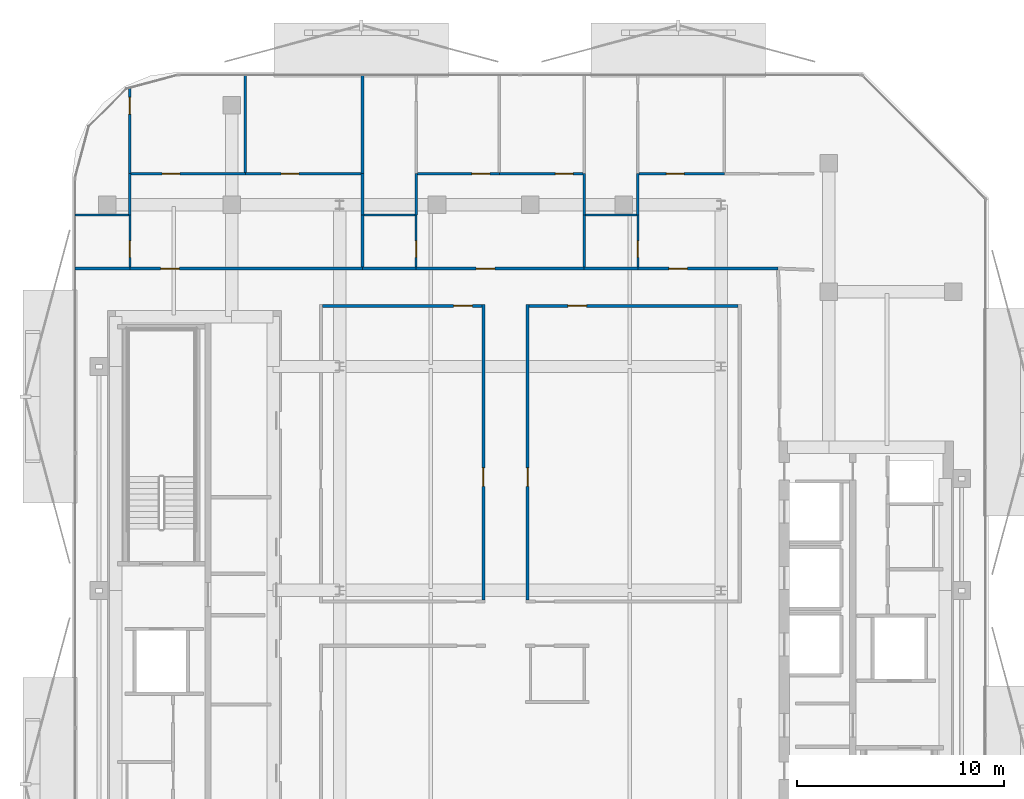
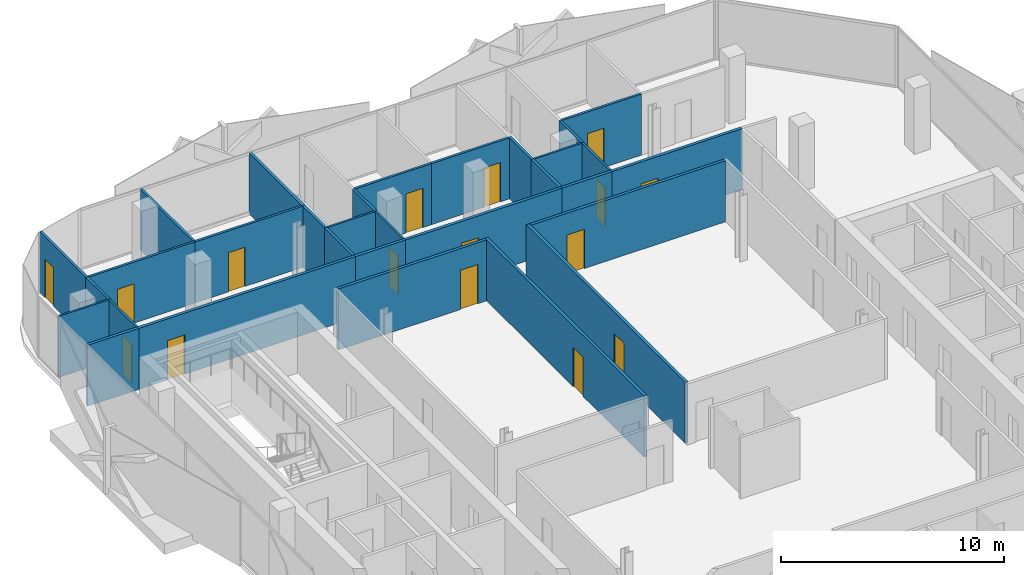
# One storey, part 6 of 16: 31 walls, 16 doors, 16 openings.
"""IFC4 building model written with IfcOpenShell, lengths in metres."""

from ifc_helpers import new_model, si_unit, direction, frame, frame_2d, origin, place, context, subcontext, project, spatial, rectangle, extrude, material, layer, layer_set, type_object, element, fill, save


model = new_model("IFC4")

# Units and contexts
model_context = context("Model", 3, precision=1e-05, world=origin(), true_north=direction((0.0, 1.0)))
body_context = subcontext(model_context, "Body", "Model", "MODEL_VIEW")
ifc_project = project(units=[si_unit("LENGTHUNIT", "METRE"), si_unit("AREAUNIT", "SQUARE_METRE"), si_unit("VOLUMEUNIT", "CUBIC_METRE"), si_unit("PLANEANGLEUNIT", "RADIAN"), si_unit("MASSUNIT", "GRAM", prefix="KILO")], contexts=[model_context])

# Site, building, storey
site_placement = place(None, origin())
site = spatial("IfcSite", under=ifc_project, at=site_placement, CompositionType="ELEMENT")
building_placement = place(site_placement, origin())
building = spatial("IfcBuilding", under=site, at=building_placement, Name="Khairoan Windgate Tower", CompositionType="ELEMENT")
storey_placement = place(building_placement, frame((0.0, 0.0, 247.60009765625)))
storey = spatial("IfcBuildingStorey", under=building, at=storey_placement, Name="L58", CompositionType="ELEMENT", Elevation=247.60009765625)

# Wall
ifc_material_1 = material(Name="Moisture-Resistant Gypsum Partition", Category="gypsum")
ifc_layer_1 = layer(ifc_material_1, 0.10009765625, Name="Moisture-Resistant Gypsum Partition")
ifc_layer_set_1 = layer_set([ifc_layer_1], Name="Moisture-Resistant Gypsum Partition")
wall_type_1 = type_object("IfcWallType", Name="Bathroom Wet-Area Partition Wall", PredefinedType="PARTITIONING", material=ifc_layer_set_1)
wall_1_placement = place(storey_placement, frame((-21.955078125, 18.10009765625, 0.0), z_axis=(0.0, 0.0, 1.0), x_axis=(1.0, 0.0, 0.0)))
element("IfcWall", 1, at=wall_1_placement, inside=storey, type_object=wall_type_1, Name="L58 Interior Partition 043", PredefinedType="PARTITIONING", context=body_context, shape_type="SweptSolid", body=[
    extrude(rectangle(XDim=2.594970703125, YDim=0.10009765625, at=frame_2d((1.29736328125, 0.0))), origin(), (0.0, 0.0, 1.0), 3.33984375),
])

# Wall, opening, door
wall_2_placement = place(storey_placement, frame((-19.31005859375, 15.60009765625, 0.0), z_axis=(0.0, 0.0, 1.0), x_axis=(0.0, 1.0, 0.0)))
wall_2 = element("IfcWall", 2, at=wall_2_placement, inside=storey, type_object=wall_type_1, Name="L58 Interior Partition 044", PredefinedType="PARTITIONING", context=body_context, shape_type="SweptSolid", body=[
    extrude(rectangle(XDim=2.5, YDim=0.10009765625, at=frame_2d((1.25, 0.0))), origin(), (0.0, 0.0, 1.0), 3.33984375),
])
opening_1_placement = place(wall_2_placement, frame((0.4599609375, 0.0, 0.0)))
opening_1 = element("IfcOpeningElement", 3, at=opening_1_placement, cuts=wall_2, Name="Opening ID-BTH", PredefinedType="OPENING", context=body_context, shape_type="SweptSolid", body=[
    extrude(rectangle(XDim=0.800048828125, YDim=2.10009765625, at=frame_2d((0.39990234375, 1.050048828125))), frame((0.0, 0.06005859375, 0.0), z_axis=(0.0, -1.0, 0.0), x_axis=(1.0, 0.0, 0.0)), (0.0, 0.0, 1.0), 0.1201171875),
])
ifc_material_2 = material(Name="Teak Veneer Timber Leaf", Category="wood")
door_type_1 = type_object("IfcDoorType", Name="Internal Bathroom Door ID-BTH 800x2100", OperationType="NOTDEFINED", PredefinedType="DOOR", material=ifc_material_2)
door_1_placement = place(opening_1_placement, origin())
door_1 = element("IfcDoor", 4, at=door_1_placement, inside=storey, type_object=door_type_1, Name="L58 L58-35-L58-37 Door", OperationType="SINGLE_SWING_RIGHT", OverallHeight=2.10009765625, OverallWidth=0.800048828125, PredefinedType="DOOR", context=body_context, shape_type="SweptSolid", body=[
    extrude(rectangle(XDim=0.800048828125, YDim=2.10009765625, at=frame_2d((0.39990234375, 1.050048828125))), frame((0.0, 0.02490234375, 0.0), z_axis=(0.0, -1.0, 0.0), x_axis=(1.0, 0.0, 0.0)), (0.0, 0.0, 1.0), 0.050048828125),
])
fill(opening_1, door_1)

# Wall
wall_3_placement = place(storey_placement, frame((-8.030029296875, 18.10009765625, 0.0), z_axis=(0.0, 0.0, 1.0), x_axis=(1.0, 0.0, 0.0)))
element("IfcWall", 5, at=wall_3_placement, inside=storey, type_object=wall_type_1, Name="L58 Interior Partition 053", PredefinedType="PARTITIONING", context=body_context, shape_type="SweptSolid", body=[
    extrude(rectangle(XDim=2.469970703125, YDim=0.10009765625, at=frame_2d((1.23486328125, 0.0))), origin(), (0.0, 0.0, 1.0), 3.33984375),
])

# Wall, opening, door
wall_4_placement = place(storey_placement, frame((-5.510009765625, 15.60009765625, 0.0), z_axis=(0.0, 0.0, 1.0), x_axis=(0.0, 1.0, 0.0)))
wall_4 = element("IfcWall", 6, at=wall_4_placement, inside=storey, type_object=wall_type_1, Name="L58 Interior Partition 054", PredefinedType="PARTITIONING", context=body_context, shape_type="SweptSolid", body=[
    extrude(rectangle(XDim=2.5, YDim=0.10009765625, at=frame_2d((1.25, 0.0))), origin(), (0.0, 0.0, 1.0), 3.33984375),
])
opening_2_placement = place(wall_4_placement, frame((0.4599609375, 0.0, 0.0)))
opening_2 = element("IfcOpeningElement", 7, at=opening_2_placement, cuts=wall_4, Name="Opening ID-BTH", PredefinedType="OPENING", context=body_context, shape_type="SweptSolid", body=[
    extrude(rectangle(XDim=0.800048828125, YDim=2.10009765625, at=frame_2d((0.39990234375, 1.050048828125))), frame((0.0, 0.06005859375, 0.0), z_axis=(0.0, -1.0, 0.0), x_axis=(1.0, 0.0, 0.0)), (0.0, 0.0, 1.0), 0.1201171875),
])
door_2_placement = place(opening_2_placement, origin())
door_2 = element("IfcDoor", 8, at=door_2_placement, inside=storey, type_object=door_type_1, Name="L58 L58-40-L58-42 Door", OperationType="SINGLE_SWING_RIGHT", OverallHeight=2.10009765625, OverallWidth=0.800048828125, PredefinedType="DOOR", context=body_context, shape_type="SweptSolid", body=[
    extrude(rectangle(XDim=0.800048828125, YDim=2.10009765625, at=frame_2d((0.39990234375, 1.050048828125))), frame((0.0, 0.02490234375, 0.0), z_axis=(0.0, -1.0, 0.0), x_axis=(1.0, 0.0, 0.0)), (0.0, 0.0, 1.0), 0.050048828125),
])
fill(opening_2, door_2)

# Wall
wall_5_placement = place(storey_placement, frame((2.669921875, 18.10009765625, 0.0), z_axis=(0.0, 0.0, 1.0), x_axis=(1.0, 0.0, 0.0)))
element("IfcWall", 9, at=wall_5_placement, inside=storey, type_object=wall_type_1, Name="L58 Interior Partition 063", PredefinedType="PARTITIONING", context=body_context, shape_type="SweptSolid", body=[
    extrude(rectangle(XDim=2.469970703125, YDim=0.10009765625, at=frame_2d((1.23486328125, 0.0))), origin(), (0.0, 0.0, 1.0), 3.33984375),
])

# Wall, opening, door
wall_6_placement = place(storey_placement, frame((5.18994140625, 15.60009765625, 0.0), z_axis=(0.0, 0.0, 1.0), x_axis=(0.0, 1.0, 0.0)))
wall_6 = element("IfcWall", 10, at=wall_6_placement, inside=storey, type_object=wall_type_1, Name="L58 Interior Partition 064", PredefinedType="PARTITIONING", context=body_context, shape_type="SweptSolid", body=[
    extrude(rectangle(XDim=2.5, YDim=0.10009765625, at=frame_2d((1.25, 0.0))), origin(), (0.0, 0.0, 1.0), 3.33984375),
])
opening_3_placement = place(wall_6_placement, frame((0.4599609375, 0.0, 0.0)))
opening_3 = element("IfcOpeningElement", 11, at=opening_3_placement, cuts=wall_6, Name="Opening ID-BTH", PredefinedType="OPENING", context=body_context, shape_type="SweptSolid", body=[
    extrude(rectangle(XDim=0.800048828125, YDim=2.10009765625, at=frame_2d((0.39990234375, 1.050048828125))), frame((0.0, 0.06005859375, 0.0), z_axis=(0.0, -1.0, 0.0), x_axis=(1.0, 0.0, 0.0)), (0.0, 0.0, 1.0), 0.1201171875),
])
door_3_placement = place(opening_3_placement, origin())
door_3 = element("IfcDoor", 12, at=door_3_placement, inside=storey, type_object=door_type_1, Name="L58 L58-45-L58-47 Door", OperationType="SINGLE_SWING_RIGHT", OverallHeight=2.10009765625, OverallWidth=0.800048828125, PredefinedType="DOOR", context=body_context, shape_type="SweptSolid", body=[
    extrude(rectangle(XDim=0.800048828125, YDim=2.10009765625, at=frame_2d((0.39990234375, 1.050048828125))), frame((0.0, 0.02490234375, 0.0), z_axis=(0.0, -1.0, 0.0), x_axis=(1.0, 0.0, 0.0)), (0.0, 0.0, 1.0), 0.050048828125),
])
fill(opening_3, door_3)

# Walls
ifc_material_3 = material(Name="Acoustic Fire-Rated Gypsum Partition", Category="gypsum")
ifc_layer_2 = layer(ifc_material_3, 0.139892578125, Name="Acoustic Fire-Rated Gypsum Partition")
ifc_layer_set_2 = layer_set([ifc_layer_2], Name="Acoustic Fire-Rated Gypsum Partition")
wall_type_2 = type_object("IfcWallType", Name="Inter-Tenancy Compartment Wall", PredefinedType="PARTITIONING", material=ifc_layer_set_2)
wall_7_placement = place(storey_placement, frame((-8.10009765625, 15.60009765625, 0.0), z_axis=(0.0, 0.0, 1.0), x_axis=(0.0, 1.0, 0.0)))
element("IfcWall", 13, at=wall_7_placement, inside=storey, type_object=wall_type_2, Name="L58 Interior Partition 049", PredefinedType="PARTITIONING", context=body_context, shape_type="SweptSolid", body=[
    extrude(rectangle(XDim=2.5, YDim=0.139892578125, at=frame_2d((1.25, 0.0))), origin(), (0.0, 0.0, 1.0), 3.33984375),
])
wall_8_placement = place(storey_placement, frame((-8.10009765625, 18.10009765625, 0.0), z_axis=(0.0, 0.0, 1.0), x_axis=(0.0, 1.0, 0.0)))
element("IfcWall", 14, at=wall_8_placement, inside=storey, type_object=wall_type_2, Name="L58 Interior Partition 050", PredefinedType="PARTITIONING", context=body_context, shape_type="SweptSolid", body=[
    extrude(rectangle(XDim=2.0, YDim=0.139892578125, at=frame_2d((1.0, 0.0))), origin(), (0.0, 0.0, 1.0), 3.33984375),
])
wall_9_placement = place(storey_placement, frame((-8.10009765625, 20.10009765625, 0.0), z_axis=(0.0, 0.0, 1.0), x_axis=(0.0, 1.0, 0.0)))
element("IfcWall", 15, at=wall_9_placement, inside=storey, type_object=wall_type_2, Name="L58 Interior Partition 052", PredefinedType="PARTITIONING", context=body_context, shape_type="SweptSolid", body=[
    extrude(rectangle(XDim=4.7548828125, YDim=0.139892578125, at=frame_2d((2.37744140625, 0.0))), origin(), (0.0, 0.0, 1.0), 3.33984375),
])
wall_10_placement = place(storey_placement, frame((2.60009765625, 15.60009765625, 0.0), z_axis=(0.0, 0.0, 1.0), x_axis=(0.0, 1.0, 0.0)))
element("IfcWall", 16, at=wall_10_placement, inside=storey, type_object=wall_type_2, Name="L58 Interior Partition 059", PredefinedType="PARTITIONING", context=body_context, shape_type="SweptSolid", body=[
    extrude(rectangle(XDim=2.5, YDim=0.139892578125, at=frame_2d((1.25, 0.0))), origin(), (0.0, 0.0, 1.0), 3.33984375),
])
wall_11_placement = place(storey_placement, frame((2.60009765625, 18.10009765625, 0.0), z_axis=(0.0, 0.0, 1.0), x_axis=(0.0, 1.0, 0.0)))
element("IfcWall", 17, at=wall_11_placement, inside=storey, type_object=wall_type_2, Name="L58 Interior Partition 060", PredefinedType="PARTITIONING", context=body_context, shape_type="SweptSolid", body=[
    extrude(rectangle(XDim=2.0, YDim=0.139892578125, at=frame_2d((1.0, 0.0))), origin(), (0.0, 0.0, 1.0), 3.33984375),
])
ifc_material_4 = material(Name="Gypsum Stud Partition", Category="gypsum")
ifc_layer_3 = layer(ifc_material_4, 0.1201171875, Name="Gypsum Stud Partition")
ifc_layer_set_3 = layer_set([ifc_layer_3], Name="Gypsum Stud Partition")
wall_type_3 = type_object("IfcWallType", Name="Internal Room Partition Wall", PredefinedType="PARTITIONING", material=ifc_layer_set_3)
wall_12_placement = place(storey_placement, frame((-19.31005859375, 18.10009765625, 0.0), z_axis=(0.0, 0.0, 1.0), x_axis=(0.0, 1.0, 0.0)))
element("IfcWall", 18, at=wall_12_placement, inside=storey, type_object=wall_type_3, Name="L58 Interior Partition 045", PredefinedType="PARTITIONING", context=body_context, shape_type="SweptSolid", body=[
    extrude(rectangle(XDim=2.0, YDim=0.1201171875, at=frame_2d((1.0, 0.0))), origin(), (0.0, 0.0, 1.0), 3.33984375),
])

# Wall, opening, door
wall_13_placement = place(storey_placement, frame((-19.31005859375, 20.10009765625, 0.0), z_axis=(0.0, 0.0, 1.0), x_axis=(0.0, 1.0, 0.0)))
wall_13 = element("IfcWall", 19, at=wall_13_placement, inside=storey, type_object=wall_type_3, Name="L58 Interior Partition 046", PredefinedType="PARTITIONING", context=body_context, shape_type="SweptSolid", body=[
    extrude(rectangle(XDim=4.134521484375, YDim=0.1201171875, at=frame_2d((2.0673828125, 0.0))), origin(), (0.0, 0.0, 1.0), 3.33984375),
])
opening_4_placement = place(wall_13_placement, frame((2.874755859375, 0.0, 0.0)))
opening_4 = element("IfcOpeningElement", 20, at=opening_4_placement, cuts=wall_13, Name="Opening ID-BTH", PredefinedType="OPENING", context=body_context, shape_type="SweptSolid", body=[
    extrude(rectangle(XDim=0.800048828125, YDim=2.10009765625, at=frame_2d((0.39990234375, 1.050048828125))), frame((0.0, 0.070068359375, 0.0), z_axis=(0.0, -1.0, 0.0), x_axis=(1.0, 0.0, 0.0)), (0.0, 0.0, 1.0), 0.14013671875),
])
door_4_placement = place(opening_4_placement, origin())
door_4 = element("IfcDoor", 21, at=door_4_placement, inside=storey, type_object=door_type_1, Name="L58 L58-36-L58-38 Door", OperationType="SINGLE_SWING_RIGHT", OverallHeight=2.10009765625, OverallWidth=0.800048828125, PredefinedType="DOOR", context=body_context, shape_type="SweptSolid", body=[
    extrude(rectangle(XDim=0.800048828125, YDim=2.10009765625, at=frame_2d((0.39990234375, 1.050048828125))), frame((0.0, 0.02490234375, 0.0), z_axis=(0.0, -1.0, 0.0), x_axis=(1.0, 0.0, 0.0)), (0.0, 0.0, 1.0), 0.050048828125),
])
fill(opening_4, door_4)

wall_14_placement = place(storey_placement, frame((-19.25, 20.10009765625, 0.0), z_axis=(0.0, 0.0, 1.0), x_axis=(1.0, 0.0, 0.0)))
wall_14 = element("IfcWall", 22, at=wall_14_placement, inside=storey, type_object=wall_type_3, Name="L58 Interior Partition 047", PredefinedType="PARTITIONING", context=body_context, shape_type="SweptSolid", body=[
    extrude(rectangle(XDim=5.5048828125, YDim=0.1201171875, at=frame_2d((2.75244140625, 0.0))), origin(), (0.0, 0.0, 1.0), 3.33984375),
])
opening_5_placement = place(wall_14_placement, frame((1.49462890625, 0.0, 0.0)))
opening_5 = element("IfcOpeningElement", 23, at=opening_5_placement, cuts=wall_14, Name="Opening ID-RM", PredefinedType="OPENING", context=body_context, shape_type="SweptSolid", body=[
    extrude(rectangle(XDim=0.860107421875, YDim=2.14990234375, at=frame_2d((0.43017578125, 1.074951171875))), frame((0.0, 0.070068359375, 0.0), z_axis=(0.0, -1.0, 0.0), x_axis=(1.0, 0.0, 0.0)), (0.0, 0.0, 1.0), 0.14013671875),
])
ifc_material_5 = material(Name="Teak Veneer Timber Leaf", Category="wood")
door_type_2 = type_object("IfcDoorType", Name="Internal Bedroom and Office Door ID-RM 860x2150", OperationType="NOTDEFINED", PredefinedType="DOOR", material=ifc_material_5)
door_5_placement = place(opening_5_placement, origin())
door_5 = element("IfcDoor", 24, at=door_5_placement, inside=storey, type_object=door_type_2, Name="L58 L58-37-L58-38 Door", OperationType="SINGLE_SWING_RIGHT", OverallHeight=2.14990234375, OverallWidth=0.860107421875, PredefinedType="DOOR", context=body_context, shape_type="SweptSolid", body=[
    extrude(rectangle(XDim=0.860107421875, YDim=2.14990234375, at=frame_2d((0.43017578125, 1.074951171875))), frame((0.0, 0.02490234375, 0.0), z_axis=(0.0, -1.0, 0.0), x_axis=(1.0, 0.0, 0.0)), (0.0, 0.0, 1.0), 0.050048828125),
])
fill(opening_5, door_5)

wall_15_placement = place(storey_placement, frame((-13.7451171875, 20.10009765625, 0.0), z_axis=(0.0, 0.0, 1.0), x_axis=(1.0, 0.0, 0.0)))
wall_15 = element("IfcWall", 25, at=wall_15_placement, inside=storey, type_object=wall_type_3, Name="L58 Interior Partition 048", PredefinedType="PARTITIONING", context=body_context, shape_type="SweptSolid", body=[
    extrude(rectangle(XDim=5.5751953125, YDim=0.1201171875, at=frame_2d((2.78759765625, 0.0))), origin(), (0.0, 0.0, 1.0), 3.33984375),
])
opening_6_placement = place(wall_15_placement, frame((1.72509765625, 0.0, 0.0)))
opening_6 = element("IfcOpeningElement", 26, at=opening_6_placement, cuts=wall_15, Name="Opening ID-RM", PredefinedType="OPENING", context=body_context, shape_type="SweptSolid", body=[
    extrude(rectangle(XDim=0.860107421875, YDim=2.14990234375, at=frame_2d((0.43017578125, 1.074951171875))), frame((0.0, 0.070068359375, 0.0), z_axis=(0.0, -1.0, 0.0), x_axis=(1.0, 0.0, 0.0)), (0.0, 0.0, 1.0), 0.14013671875),
])
door_6_placement = place(opening_6_placement, origin())
door_6 = element("IfcDoor", 27, at=door_6_placement, inside=storey, type_object=door_type_2, Name="L58 L58-37-L58-39 Door", OperationType="SINGLE_SWING_LEFT", OverallHeight=2.14990234375, OverallWidth=0.860107421875, PredefinedType="DOOR", context=body_context, shape_type="SweptSolid", body=[
    extrude(rectangle(XDim=0.860107421875, YDim=2.14990234375, at=frame_2d((0.43017578125, 1.074951171875))), frame((0.0, 0.02490234375, 0.0), z_axis=(0.0, -1.0, 0.0), x_axis=(1.0, 0.0, 0.0)), (0.0, 0.0, 1.0), 0.050048828125),
])
fill(opening_6, door_6)

# Walls
wall_16_placement = place(storey_placement, frame((-13.7451171875, 20.159912109375, 0.0), z_axis=(0.0, 0.0, 1.0), x_axis=(0.0, 1.0, 0.0)))
element("IfcWall", 28, at=wall_16_placement, inside=storey, type_object=wall_type_3, Name="L58 Interior Partition 051", PredefinedType="PARTITIONING", context=body_context, shape_type="SweptSolid", body=[
    extrude(rectangle(XDim=4.695068359375, YDim=0.1201171875, at=frame_2d((2.34765625, 0.0))), origin(), (0.0, 0.0, 1.0), 3.33984375),
])
wall_17_placement = place(storey_placement, frame((-5.510009765625, 18.10009765625, 0.0), z_axis=(0.0, 0.0, 1.0), x_axis=(0.0, 1.0, 0.0)))
element("IfcWall", 29, at=wall_17_placement, inside=storey, type_object=wall_type_3, Name="L58 Interior Partition 055", PredefinedType="PARTITIONING", context=body_context, shape_type="SweptSolid", body=[
    extrude(rectangle(XDim=2.0, YDim=0.1201171875, at=frame_2d((1.0, 0.0))), origin(), (0.0, 0.0, 1.0), 3.33984375),
])

# Wall, opening, door
wall_18_placement = place(storey_placement, frame((-5.449951171875, 20.10009765625, 0.0), z_axis=(0.0, 0.0, 1.0), x_axis=(1.0, 0.0, 0.0)))
wall_18 = element("IfcWall", 30, at=wall_18_placement, inside=storey, type_object=wall_type_3, Name="L58 Interior Partition 057", PredefinedType="PARTITIONING", context=body_context, shape_type="SweptSolid", body=[
    extrude(rectangle(XDim=3.954833984375, YDim=0.1201171875, at=frame_2d((1.9775390625, 0.0))), origin(), (0.0, 0.0, 1.0), 3.33984375),
])
opening_7_placement = place(wall_18_placement, frame((2.635009765625, 0.0, 0.0)))
opening_7 = element("IfcOpeningElement", 31, at=opening_7_placement, cuts=wall_18, Name="Opening ID-RM", PredefinedType="OPENING", context=body_context, shape_type="SweptSolid", body=[
    extrude(rectangle(XDim=0.860107421875, YDim=2.14990234375, at=frame_2d((0.43017578125, 1.074951171875))), frame((0.0, 0.070068359375, 0.0), z_axis=(0.0, -1.0, 0.0), x_axis=(1.0, 0.0, 0.0)), (0.0, 0.0, 1.0), 0.14013671875),
])
door_7_placement = place(opening_7_placement, origin())
door_7 = element("IfcDoor", 32, at=door_7_placement, inside=storey, type_object=door_type_2, Name="L58 L58-42-L58-43 Door", OperationType="SINGLE_SWING_RIGHT", OverallHeight=2.14990234375, OverallWidth=0.860107421875, PredefinedType="DOOR", context=body_context, shape_type="SweptSolid", body=[
    extrude(rectangle(XDim=0.860107421875, YDim=2.14990234375, at=frame_2d((0.43017578125, 1.074951171875))), frame((0.0, 0.02490234375, 0.0), z_axis=(0.0, -1.0, 0.0), x_axis=(1.0, 0.0, 0.0)), (0.0, 0.0, 1.0), 0.050048828125),
])
fill(opening_7, door_7)

wall_19_placement = place(storey_placement, frame((-1.4951171875, 20.10009765625, 0.0), z_axis=(0.0, 0.0, 1.0), x_axis=(1.0, 0.0, 0.0)))
wall_19 = element("IfcWall", 33, at=wall_19_placement, inside=storey, type_object=wall_type_3, Name="L58 Interior Partition 058", PredefinedType="PARTITIONING", context=body_context, shape_type="SweptSolid", body=[
    extrude(rectangle(XDim=4.025146484375, YDim=0.1201171875, at=frame_2d((2.0126953125, 0.0))), origin(), (0.0, 0.0, 1.0), 3.33984375),
])
opening_8_placement = place(wall_19_placement, frame((2.705078125, 0.0, 0.0)))
opening_8 = element("IfcOpeningElement", 34, at=opening_8_placement, cuts=wall_19, Name="Opening ID-RM", PredefinedType="OPENING", context=body_context, shape_type="SweptSolid", body=[
    extrude(rectangle(XDim=0.860107421875, YDim=2.14990234375, at=frame_2d((0.43017578125, 1.074951171875))), frame((0.0, 0.070068359375, 0.0), z_axis=(0.0, -1.0, 0.0), x_axis=(1.0, 0.0, 0.0)), (0.0, 0.0, 1.0), 0.14013671875),
])
door_8_placement = place(opening_8_placement, origin())
door_8 = element("IfcDoor", 35, at=door_8_placement, inside=storey, type_object=door_type_2, Name="L58 L58-42-L58-44 Door", OperationType="SINGLE_SWING_LEFT", OverallHeight=2.14990234375, OverallWidth=0.860107421875, PredefinedType="DOOR", context=body_context, shape_type="SweptSolid", body=[
    extrude(rectangle(XDim=0.860107421875, YDim=2.14990234375, at=frame_2d((0.43017578125, 1.074951171875))), frame((0.0, 0.02490234375, 0.0), z_axis=(0.0, -1.0, 0.0), x_axis=(1.0, 0.0, 0.0)), (0.0, 0.0, 1.0), 0.050048828125),
])
fill(opening_8, door_8)

# Wall
wall_20_placement = place(storey_placement, frame((5.18994140625, 18.10009765625, 0.0), z_axis=(0.0, 0.0, 1.0), x_axis=(0.0, 1.0, 0.0)))
element("IfcWall", 36, at=wall_20_placement, inside=storey, type_object=wall_type_3, Name="L58 Interior Partition 065", PredefinedType="PARTITIONING", context=body_context, shape_type="SweptSolid", body=[
    extrude(rectangle(XDim=2.0, YDim=0.1201171875, at=frame_2d((1.0, 0.0))), origin(), (0.0, 0.0, 1.0), 3.33984375),
])

# Wall, opening, door
wall_21_placement = place(storey_placement, frame((5.25, 20.10009765625, 0.0), z_axis=(0.0, 0.0, 1.0), x_axis=(1.0, 0.0, 0.0)))
wall_21 = element("IfcWall", 37, at=wall_21_placement, inside=storey, type_object=wall_type_3, Name="L58 Interior Partition 067", PredefinedType="PARTITIONING", context=body_context, shape_type="SweptSolid", body=[
    extrude(rectangle(XDim=4.10498046875, YDim=0.1201171875, at=frame_2d((2.052490234375, 0.0))), origin(), (0.0, 0.0, 1.0), 3.33984375),
])
opening_9_placement = place(wall_21_placement, frame((1.305419921875, 0.0, 0.0)))
opening_9 = element("IfcOpeningElement", 38, at=opening_9_placement, cuts=wall_21, Name="Opening ID-RM", PredefinedType="OPENING", context=body_context, shape_type="SweptSolid", body=[
    extrude(rectangle(XDim=0.860107421875, YDim=2.14990234375, at=frame_2d((0.43017578125, 1.074951171875))), frame((0.0, 0.070068359375, 0.0), z_axis=(0.0, -1.0, 0.0), x_axis=(1.0, 0.0, 0.0)), (0.0, 0.0, 1.0), 0.14013671875),
])
door_9_placement = place(opening_9_placement, origin())
door_9 = element("IfcDoor", 39, at=door_9_placement, inside=storey, type_object=door_type_2, Name="L58 L58-47-L58-48 Door", OperationType="SINGLE_SWING_RIGHT", OverallHeight=2.14990234375, OverallWidth=0.860107421875, PredefinedType="DOOR", context=body_context, shape_type="SweptSolid", body=[
    extrude(rectangle(XDim=0.860107421875, YDim=2.14990234375, at=frame_2d((0.43017578125, 1.074951171875))), frame((0.0, 0.02490234375, 0.0), z_axis=(0.0, -1.0, 0.0), x_axis=(1.0, 0.0, 0.0)), (0.0, 0.0, 1.0), 0.050048828125),
])
fill(opening_9, door_9)

ifc_material_6 = material(Name="Acoustic Fire-Rated Gypsum Partition", Category="gypsum")
ifc_layer_4 = layer(ifc_material_6, 0.14990234375, Name="Acoustic Fire-Rated Gypsum Partition")
ifc_layer_set_4 = layer_set([ifc_layer_4], Name="Acoustic Fire-Rated Gypsum Partition")
wall_type_4 = type_object("IfcWallType", Name="Rated Corridor Partition Wall", PredefinedType="PARTITIONING", material=ifc_layer_set_4)
wall_22_placement = place(storey_placement, frame((-2.264892578125, -0.4599609375, 0.0), z_axis=(0.0, 0.0, 1.0), x_axis=(0.0, 1.0, 0.0)))
wall_22 = element("IfcWall", 40, at=wall_22_placement, inside=storey, type_object=wall_type_4, Name="L58 Interior Partition 024", PredefinedType="PARTITIONING", context=body_context, shape_type="SweptSolid", body=[
    extrude(rectangle(XDim=14.2548828125, YDim=0.14990234375, at=frame_2d((7.12744140625, 0.0))), origin(), (0.0, 0.0, 1.0), 3.33984375),
])
opening_10_placement = place(wall_22_placement, frame((5.47412109375, 0.0, 0.0)))
opening_10 = element("IfcOpeningElement", 41, at=opening_10_placement, cuts=wall_22, Name="Opening FD-ENT", PredefinedType="OPENING", context=body_context, shape_type="SweptSolid", body=[
    extrude(rectangle(XDim=0.89990234375, YDim=2.14990234375, at=frame_2d((0.449951171875, 1.074951171875))), frame((0.0, 0.0849609375, 0.0), z_axis=(0.0, -1.0, 0.0), x_axis=(1.0, 0.0, 0.0)), (0.0, 0.0, 1.0), 0.169921875),
])
ifc_material_7 = material(Name="Timber Fire-Rated Core", Category="wood")
door_type_3 = type_object("IfcDoorType", Name="Unit and Office Fire Entrance Door FD-ENT 900x2150", OperationType="NOTDEFINED", PredefinedType="DOOR", material=ifc_material_7)
door_10_placement = place(opening_10_placement, origin())
door_10 = element("IfcDoor", 42, at=door_10_placement, inside=storey, type_object=door_type_3, Name="L58 L58-32-L58-67 Door", OperationType="SINGLE_SWING_LEFT", OverallHeight=2.14990234375, OverallWidth=0.89990234375, PredefinedType="DOOR", context=body_context, shape_type="SweptSolid", body=[
    extrude(rectangle(XDim=0.89990234375, YDim=2.14990234375, at=frame_2d((0.449951171875, 1.074951171875))), frame((0.0, 0.02490234375, 0.0), z_axis=(0.0, -1.0, 0.0), x_axis=(1.0, 0.0, 0.0)), (0.0, 0.0, 1.0), 0.050048828125),
])
fill(opening_10, door_10)

wall_23_placement = place(storey_placement, frame((-0.135009765625, -0.4599609375, 0.0), z_axis=(0.0, 0.0, 1.0), x_axis=(0.0, 1.0, 0.0)))
wall_23 = element("IfcWall", 43, at=wall_23_placement, inside=storey, type_object=wall_type_4, Name="L58 Interior Partition 025", PredefinedType="PARTITIONING", context=body_context, shape_type="SweptSolid", body=[
    extrude(rectangle(XDim=14.2548828125, YDim=0.14990234375, at=frame_2d((7.12744140625, 0.0))), origin(), (0.0, 0.0, 1.0), 3.33984375),
])
opening_11_placement = place(wall_23_placement, frame((5.47412109375, 0.0, 0.0)))
opening_11 = element("IfcOpeningElement", 44, at=opening_11_placement, cuts=wall_23, Name="Opening FD-ENT", PredefinedType="OPENING", context=body_context, shape_type="SweptSolid", body=[
    extrude(rectangle(XDim=0.89990234375, YDim=2.14990234375, at=frame_2d((0.449951171875, 1.074951171875))), frame((0.0, 0.0849609375, 0.0), z_axis=(0.0, -1.0, 0.0), x_axis=(1.0, 0.0, 0.0)), (0.0, 0.0, 1.0), 0.169921875),
])
door_11_placement = place(opening_11_placement, origin())
door_11 = element("IfcDoor", 45, at=door_11_placement, inside=storey, type_object=door_type_3, Name="L58 L58-32-L58-69 Door", OperationType="SINGLE_SWING_RIGHT", OverallHeight=2.14990234375, OverallWidth=0.89990234375, PredefinedType="DOOR", context=body_context, shape_type="SweptSolid", body=[
    extrude(rectangle(XDim=0.89990234375, YDim=2.14990234375, at=frame_2d((0.449951171875, 1.074951171875))), frame((0.0, 0.02490234375, 0.0), z_axis=(0.0, -1.0, 0.0), x_axis=(1.0, 0.0, 0.0)), (0.0, 0.0, 1.0), 0.050048828125),
])
fill(opening_11, door_11)

# Wall
wall_24_placement = place(storey_placement, frame((-21.955078125, 15.52490234375, 0.0), z_axis=(0.0, 0.0, 1.0), x_axis=(1.0, 0.0, 0.0)))
element("IfcWall", 46, at=wall_24_placement, inside=storey, type_object=wall_type_4, Name="L58 Interior Partition 026", PredefinedType="PARTITIONING", context=body_context, shape_type="SweptSolid", body=[
    extrude(rectangle(XDim=2.64501953125, YDim=0.14990234375, at=frame_2d((1.322509765625, 0.0))), origin(), (0.0, 0.0, 1.0), 3.33984375),
])

# Wall, opening, door
wall_25_placement = place(storey_placement, frame((-19.31005859375, 15.52490234375, 0.0), z_axis=(0.0, 0.0, 1.0), x_axis=(1.0, 0.0, 0.0)))
wall_25 = element("IfcWall", 47, at=wall_25_placement, inside=storey, type_object=wall_type_4, Name="L58 Interior Partition 027", PredefinedType="PARTITIONING", context=body_context, shape_type="SweptSolid", body=[
    extrude(rectangle(XDim=11.2099609375, YDim=0.14990234375, at=frame_2d((5.60498046875, 0.0))), origin(), (0.0, 0.0, 1.0), 3.33984375),
])
opening_12_placement = place(wall_25_placement, frame((1.480712890625, 0.0, 0.0)))
opening_12 = element("IfcOpeningElement", 48, at=opening_12_placement, cuts=wall_25, Name="Opening FD-ENT", PredefinedType="OPENING", context=body_context, shape_type="SweptSolid", body=[
    extrude(rectangle(XDim=0.89990234375, YDim=2.14990234375, at=frame_2d((0.449951171875, 1.074951171875))), frame((0.0, 0.0849609375, 0.0), z_axis=(0.0, -1.0, 0.0), x_axis=(1.0, 0.0, 0.0)), (0.0, 0.0, 1.0), 0.169921875),
])
door_12_placement = place(opening_12_placement, origin())
door_12 = element("IfcDoor", 49, at=door_12_placement, inside=storey, type_object=door_type_3, Name="L58 L58-33-L58-37 Door", OperationType="SINGLE_SWING_LEFT", OverallHeight=2.14990234375, OverallWidth=0.89990234375, PredefinedType="DOOR", context=body_context, shape_type="SweptSolid", body=[
    extrude(rectangle(XDim=0.89990234375, YDim=2.14990234375, at=frame_2d((0.449951171875, 1.074951171875))), frame((0.0, 0.02490234375, 0.0), z_axis=(0.0, -1.0, 0.0), x_axis=(1.0, 0.0, 0.0)), (0.0, 0.0, 1.0), 0.050048828125),
])
fill(opening_12, door_12)

# Wall
wall_26_placement = place(storey_placement, frame((-8.10009765625, 15.52490234375, 0.0), z_axis=(0.0, 0.0, 1.0), x_axis=(1.0, 0.0, 0.0)))
element("IfcWall", 50, at=wall_26_placement, inside=storey, type_object=wall_type_4, Name="L58 Interior Partition 028", PredefinedType="PARTITIONING", context=body_context, shape_type="SweptSolid", body=[
    extrude(rectangle(XDim=2.590087890625, YDim=0.14990234375, at=frame_2d((1.294921875, 0.0))), origin(), (0.0, 0.0, 1.0), 3.33984375),
])

# Wall, opening, door
wall_27_placement = place(storey_placement, frame((-5.510009765625, 15.52490234375, 0.0), z_axis=(0.0, 0.0, 1.0), x_axis=(1.0, 0.0, 0.0)))
wall_27 = element("IfcWall", 51, at=wall_27_placement, inside=storey, type_object=wall_type_4, Name="L58 Interior Partition 029", PredefinedType="PARTITIONING", context=body_context, shape_type="SweptSolid", body=[
    extrude(rectangle(XDim=8.110107421875, YDim=0.14990234375, at=frame_2d((4.05517578125, 0.0))), origin(), (0.0, 0.0, 1.0), 3.33984375),
])
opening_13_placement = place(wall_27_placement, frame((2.894775390625, 0.0, 0.0)))
opening_13 = element("IfcOpeningElement", 52, at=opening_13_placement, cuts=wall_27, Name="Opening FD-ENT", PredefinedType="OPENING", context=body_context, shape_type="SweptSolid", body=[
    extrude(rectangle(XDim=0.89990234375, YDim=2.14990234375, at=frame_2d((0.449951171875, 1.074951171875))), frame((0.0, 0.0849609375, 0.0), z_axis=(0.0, -1.0, 0.0), x_axis=(1.0, 0.0, 0.0)), (0.0, 0.0, 1.0), 0.169921875),
])
door_13_placement = place(opening_13_placement, origin())
door_13 = element("IfcDoor", 53, at=door_13_placement, inside=storey, type_object=door_type_3, Name="L58 L58-33-L58-42 Door", OperationType="SINGLE_SWING_RIGHT", OverallHeight=2.14990234375, OverallWidth=0.89990234375, PredefinedType="DOOR", context=body_context, shape_type="SweptSolid", body=[
    extrude(rectangle(XDim=0.89990234375, YDim=2.14990234375, at=frame_2d((0.449951171875, 1.074951171875))), frame((0.0, 0.02490234375, 0.0), z_axis=(0.0, -1.0, 0.0), x_axis=(1.0, 0.0, 0.0)), (0.0, 0.0, 1.0), 0.050048828125),
])
fill(opening_13, door_13)

# Wall
wall_28_placement = place(storey_placement, frame((2.60009765625, 15.52490234375, 0.0), z_axis=(0.0, 0.0, 1.0), x_axis=(1.0, 0.0, 0.0)))
element("IfcWall", 54, at=wall_28_placement, inside=storey, type_object=wall_type_4, Name="L58 Interior Partition 030", PredefinedType="PARTITIONING", context=body_context, shape_type="SweptSolid", body=[
    extrude(rectangle(XDim=2.58984375, YDim=0.14990234375, at=frame_2d((1.294921875, 0.0))), origin(), (0.0, 0.0, 1.0), 3.33984375),
])

# Wall, opening, door
wall_29_placement = place(storey_placement, frame((5.18994140625, 15.52490234375, 0.0), z_axis=(0.0, 0.0, 1.0), x_axis=(1.0, 0.0, 0.0)))
wall_29 = element("IfcWall", 55, at=wall_29_placement, inside=storey, type_object=wall_type_4, Name="L58 Interior Partition 031", PredefinedType="PARTITIONING", context=body_context, shape_type="SweptSolid", body=[
    extrude(rectangle(XDim=6.75, YDim=0.14990234375, at=frame_2d((3.375, 0.0))), origin(), (0.0, 0.0, 1.0), 3.33984375),
])
opening_14_placement = place(wall_29_placement, frame((1.487060546875, 0.0, 0.0)))
opening_14 = element("IfcOpeningElement", 56, at=opening_14_placement, cuts=wall_29, Name="Opening FD-ENT", PredefinedType="OPENING", context=body_context, shape_type="SweptSolid", body=[
    extrude(rectangle(XDim=0.89990234375, YDim=2.14990234375, at=frame_2d((0.449951171875, 1.074951171875))), frame((0.0, 0.0849609375, 0.0), z_axis=(0.0, -1.0, 0.0), x_axis=(1.0, 0.0, 0.0)), (0.0, 0.0, 1.0), 0.169921875),
])
door_14_placement = place(opening_14_placement, origin())
door_14 = element("IfcDoor", 57, at=door_14_placement, inside=storey, type_object=door_type_3, Name="L58 L58-33-L58-47 Door", OperationType="SINGLE_SWING_LEFT", OverallHeight=2.14990234375, OverallWidth=0.89990234375, PredefinedType="DOOR", context=body_context, shape_type="SweptSolid", body=[
    extrude(rectangle(XDim=0.89990234375, YDim=2.14990234375, at=frame_2d((0.449951171875, 1.074951171875))), frame((0.0, 0.02490234375, 0.0), z_axis=(0.0, -1.0, 0.0), x_axis=(1.0, 0.0, 0.0)), (0.0, 0.0, 1.0), 0.050048828125),
])
fill(opening_14, door_14)

wall_30_placement = place(storey_placement, frame((-10.02490234375, 13.719970703125, 0.0), z_axis=(0.0, 0.0, 1.0), x_axis=(1.0, 0.0, 0.0)))
wall_30 = element("IfcWall", 58, at=wall_30_placement, inside=storey, type_object=wall_type_4, Name="L58 Interior Partition 033", PredefinedType="PARTITIONING", context=body_context, shape_type="SweptSolid", body=[
    extrude(rectangle(XDim=7.684814453125, YDim=0.14990234375, at=frame_2d((3.84228515625, 0.0))), origin(), (0.0, 0.0, 1.0), 3.33984375),
])
opening_15_placement = place(wall_30_placement, frame((6.324951171875, 0.0, 0.0)))
opening_15 = element("IfcOpeningElement", 59, at=opening_15_placement, cuts=wall_30, Name="Opening FD-ENT", PredefinedType="OPENING", context=body_context, shape_type="SweptSolid", body=[
    extrude(rectangle(XDim=0.89990234375, YDim=2.14990234375, at=frame_2d((0.449951171875, 1.074951171875))), frame((0.0, 0.0849609375, 0.0), z_axis=(0.0, -1.0, 0.0), x_axis=(1.0, 0.0, 0.0)), (0.0, 0.0, 1.0), 0.169921875),
])
door_15_placement = place(opening_15_placement, origin())
door_15 = element("IfcDoor", 60, at=door_15_placement, inside=storey, type_object=door_type_3, Name="L58 L58-33-L58-67 Door", OperationType="SINGLE_SWING_LEFT", OverallHeight=2.14990234375, OverallWidth=0.89990234375, PredefinedType="DOOR", context=body_context, shape_type="SweptSolid", body=[
    extrude(rectangle(XDim=0.89990234375, YDim=2.14990234375, at=frame_2d((0.449951171875, 1.074951171875))), frame((0.0, 0.02490234375, 0.0), z_axis=(0.0, -1.0, 0.0), x_axis=(1.0, 0.0, 0.0)), (0.0, 0.0, 1.0), 0.050048828125),
])
fill(opening_15, door_15)

wall_31_placement = place(storey_placement, frame((-0.06005859375, 13.719970703125, 0.0), z_axis=(0.0, 0.0, 1.0), x_axis=(1.0, 0.0, 0.0)))
wall_31 = element("IfcWall", 61, at=wall_31_placement, inside=storey, type_object=wall_type_4, Name="L58 Interior Partition 034", PredefinedType="PARTITIONING", context=body_context, shape_type="SweptSolid", body=[
    extrude(rectangle(XDim=10.0849609375, YDim=0.14990234375, at=frame_2d((5.04248046875, 0.0))), origin(), (0.0, 0.0, 1.0), 3.33984375),
])
opening_16_placement = place(wall_31_placement, frame((1.87109375, 0.0, 0.0)))
opening_16 = element("IfcOpeningElement", 62, at=opening_16_placement, cuts=wall_31, Name="Opening FD-ENT", PredefinedType="OPENING", context=body_context, shape_type="SweptSolid", body=[
    extrude(rectangle(XDim=0.89990234375, YDim=2.14990234375, at=frame_2d((0.449951171875, 1.074951171875))), frame((0.0, 0.0849609375, 0.0), z_axis=(0.0, -1.0, 0.0), x_axis=(1.0, 0.0, 0.0)), (0.0, 0.0, 1.0), 0.169921875),
])
door_16_placement = place(opening_16_placement, origin())
door_16 = element("IfcDoor", 63, at=door_16_placement, inside=storey, type_object=door_type_3, Name="L58 L58-33-L58-69 Door", OperationType="SINGLE_SWING_RIGHT", OverallHeight=2.14990234375, OverallWidth=0.89990234375, PredefinedType="DOOR", context=body_context, shape_type="SweptSolid", body=[
    extrude(rectangle(XDim=0.89990234375, YDim=2.14990234375, at=frame_2d((0.449951171875, 1.074951171875))), frame((0.0, 0.02490234375, 0.0), z_axis=(0.0, -1.0, 0.0), x_axis=(1.0, 0.0, 0.0)), (0.0, 0.0, 1.0), 0.050048828125),
])
fill(opening_16, door_16)

save(model, "model.ifc")
